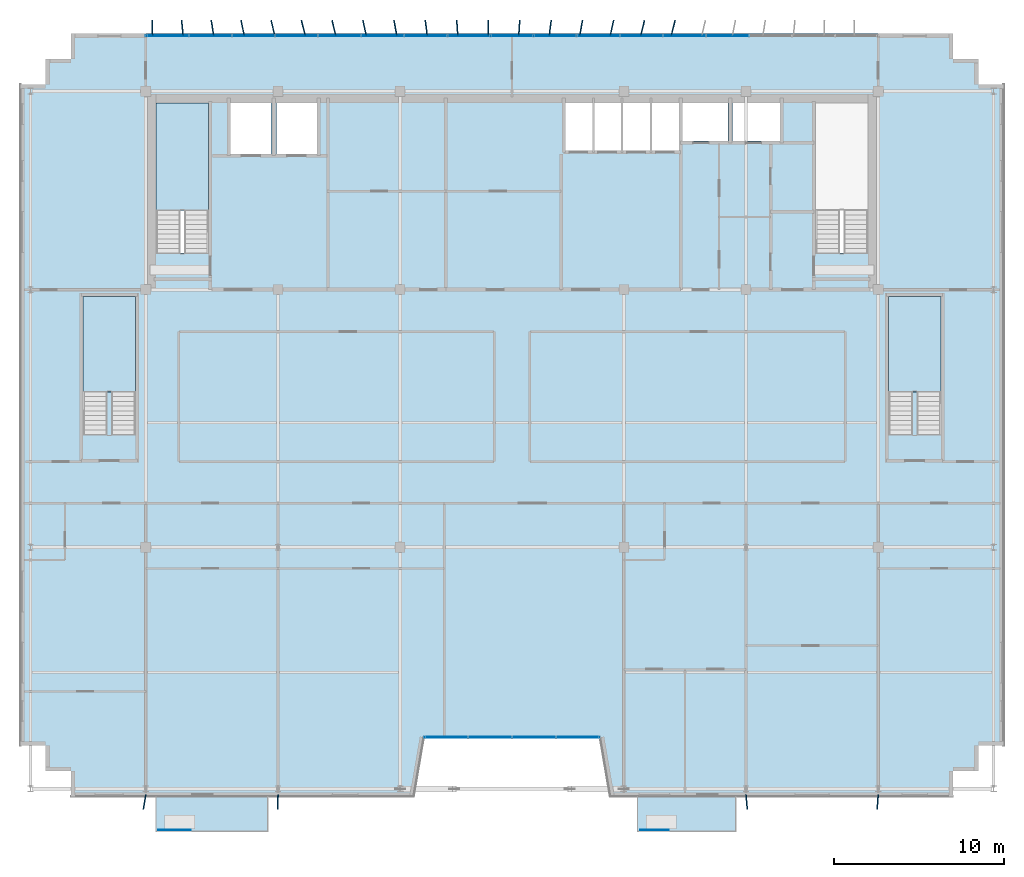
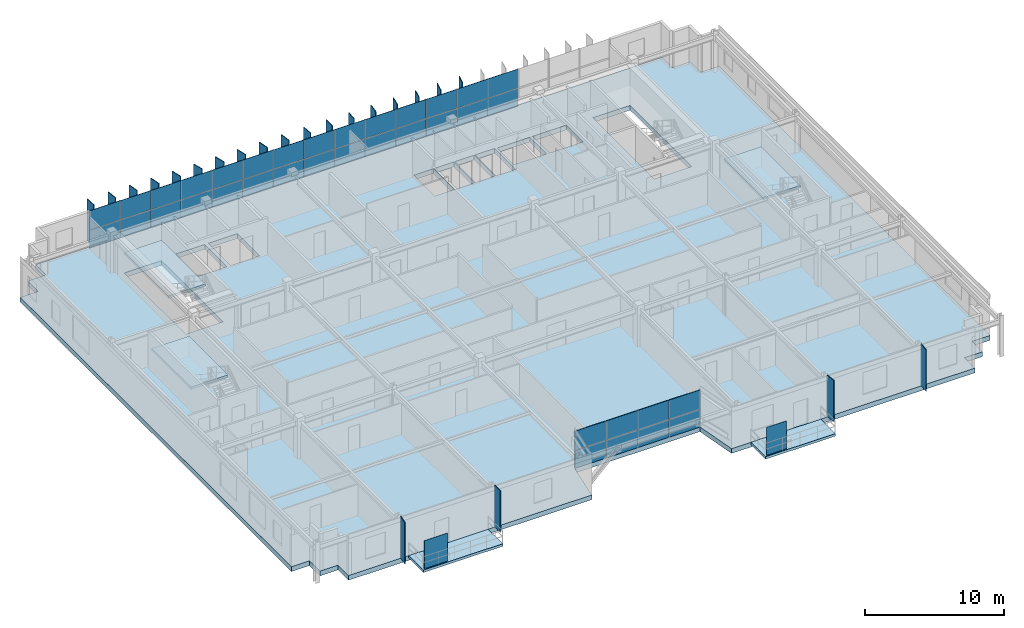
# One storey, part 19 of 28: 60 plates, 6 slabs, 5 elements without a shape of their own.
"""IFC4 building model written with IfcOpenShell, lengths in metres."""

from ifc_helpers import new_model, si_unit, direction, frame, origin, origin_2d, place, context, subcontext, project, spatial, polyline, rectangle, outline, extrude, source, transform, mapped, material, layer, layer_set, type_object, element, aggregate, save


model = new_model("IFC4")

# Units and contexts
model_context = context("Model", 3, precision=1e-05, world=origin(), true_north=direction((0.0, 1.0)))
body_context = subcontext(model_context, "Body", "Model", "MODEL_VIEW")
ifc_project = project(units=[si_unit("LENGTHUNIT", "METRE"), si_unit("AREAUNIT", "SQUARE_METRE"), si_unit("VOLUMEUNIT", "CUBIC_METRE"), si_unit("PLANEANGLEUNIT", "RADIAN"), si_unit("MASSUNIT", "GRAM", prefix="KILO")], contexts=[model_context])

# Site, building, storey
site_placement = place(None, origin())
site = spatial("IfcSite", under=ifc_project, at=site_placement, CompositionType="ELEMENT")
building_placement = place(site_placement, origin())
building = spatial("IfcBuilding", under=site, at=building_placement, Name="Trelvane Seafront Commons", CompositionType="ELEMENT")
storey_placement = place(building_placement, frame((0.0, 0.0, 295.5)))
storey = spatial("IfcBuildingStorey", under=building, at=storey_placement, Name="L77", CompositionType="ELEMENT", Elevation=295.5)

# Slabs
ifc_material_1 = material(Name="Concrete C40/50", Category="concrete")
ifc_layer_1 = layer(ifc_material_1, 0.219970703125, Name="ARCH-BALC-220")
ifc_layer_set_1 = layer_set([ifc_layer_1], Name="Concrete C40/50")
slab_type_1 = type_object("IfcSlabType", Name="ARCH-BALC-220", PredefinedType="FLOOR", material=ifc_layer_set_1)
slab_1_placement = place(storey_placement, frame((0.0, 0.0, -0.219970703125)))
element("IfcSlab", 1, at=slab_1_placement, inside=storey, type_object=slab_type_1, Name="L77 Cantilevered Tree Balcony Loggia 1", PredefinedType="FLOOR", context=body_context, shape_type="SweptSolid", body=[
    extrude(outline(polyline([(16.199951171875, 1.39990234375), (22.800048828125, 1.39990234375), (22.800048828125, 3.5), (16.199951171875, 3.5), (16.199951171875, 1.39990234375)])), origin(), (0.0, 0.0, 1.0), 0.219970703125),
])
slab_2_placement = place(storey_placement, frame((0.0, 0.0, -0.219970703125)))
element("IfcSlab", 2, at=slab_2_placement, inside=storey, type_object=slab_type_1, Name="L77 Cantilevered Tree Balcony Loggia 2", PredefinedType="FLOOR", context=body_context, shape_type="SweptSolid", body=[
    extrude(outline(polyline([(44.60009765625, 1.39990234375), (50.39990234375, 1.39990234375), (50.39990234375, 3.5), (44.60009765625, 3.5), (44.60009765625, 1.39990234375)])), origin(), (0.0, 0.0, 1.0), 0.219970703125),
])

# Stair, slab
stair_type_1 = type_object("IfcStairType", Name="ARCH-STR-ST-1-R20-180", PredefinedType="HALF_TURN_STAIR", material=ifc_material_1)
stair_1_placement = place(storey_placement, origin())
stair_1 = element("IfcStair", 3, at=stair_1_placement, inside=storey, type_object=stair_type_1, Name="L77 West Protected Firefighting Exit Stair ST-1", PredefinedType="HALF_TURN_STAIR")
ifc_layer_2 = layer(ifc_material_1, 0.199951171875, Name="ARCH-LND-200")
ifc_layer_set_2 = layer_set([ifc_layer_2], Name="Concrete C40/50")
slab_type_2 = type_object("IfcSlabType", Name="ARCH-LND-200", PredefinedType="LANDING", material=ifc_layer_set_2)
slab_3_placement = place(storey_placement, frame((0.0, 0.0, 1.60009765625)))
slab_3 = element("IfcSlab", 4, at=slab_3_placement, type_object=slab_type_2, Name="ST-1 landing 1", PredefinedType="LANDING", context=body_context, shape_type="SweptSolid", body=[
    extrude(outline(polyline([(19.300048828125, 38.070068359375), (19.300048828125, 44.39990234375), (16.199951171875, 44.39990234375), (16.199951171875, 38.070068359375), (19.300048828125, 38.070068359375)])), origin(), (0.0, 0.0, 1.0), 0.199951171875),
])
aggregate(stair_1, [slab_3])

stair_type_2 = type_object("IfcStairType", Name="ARCH-STR-ST-5-R20-180", PredefinedType="HALF_TURN_STAIR", material=ifc_material_1)
stair_2_placement = place(storey_placement, origin())
stair_2 = element("IfcStair", 5, at=stair_2_placement, inside=storey, type_object=stair_type_2, Name="L77 Crown West Peak Enclosed Maintenance Exit Stair ST-5", PredefinedType="HALF_TURN_STAIR")
slab_4_placement = place(storey_placement, frame((0.0, 0.0, 1.60009765625)))
slab_4 = element("IfcSlab", 6, at=slab_4_placement, type_object=slab_type_2, Name="ST-5 landing 1", PredefinedType="LANDING", context=body_context, shape_type="SweptSolid", body=[
    extrude(outline(polyline([(15.0, 27.3701171875), (15.0, 33.0), (11.89990234375, 33.0), (11.89990234375, 27.3701171875), (15.0, 27.3701171875)])), origin(), (0.0, 0.0, 1.0), 0.199951171875),
])
aggregate(stair_2, [slab_4])

stair_type_3 = type_object("IfcStairType", Name="ARCH-STR-ST-6-R20-180", PredefinedType="HALF_TURN_STAIR", material=ifc_material_1)
stair_3_placement = place(storey_placement, origin())
stair_3 = element("IfcStair", 7, at=stair_3_placement, inside=storey, type_object=stair_type_3, Name="L77 Crown East Peak Enclosed Maintenance Exit Stair ST-6", PredefinedType="HALF_TURN_STAIR")
slab_5_placement = place(storey_placement, frame((0.0, 0.0, 1.60009765625)))
slab_5 = element("IfcSlab", 8, at=slab_5_placement, type_object=slab_type_2, Name="ST-6 landing 1", PredefinedType="LANDING", context=body_context, shape_type="SweptSolid", body=[
    extrude(outline(polyline([(62.5, 27.3701171875), (62.5, 33.0), (59.39990234375, 33.0), (59.39990234375, 27.3701171875), (62.5, 27.3701171875)])), origin(), (0.0, 0.0, 1.0), 0.199951171875),
])
aggregate(stair_3, [slab_5])

# Slab
ifc_material_2 = material(Name="Concrete C60/75", Category="concrete")
ifc_layer_3 = layer(ifc_material_2, 0.419921875, Name="STR-SLB-T420")
ifc_layer_set_3 = layer_set([ifc_layer_3], Name="Concrete C60/75")
slab_type_3 = type_object("IfcSlabType", Name="STR-SLB-T420", PredefinedType="FLOOR", material=ifc_layer_set_3)
slab_6_placement = place(storey_placement, frame((0.0, 0.0, -0.419921875)))
element("IfcSlab", 9, at=slab_6_placement, inside=storey, type_object=slab_type_3, Name="L77 Structural Floor Slab", PredefinedType="FLOOR", context=body_context, shape_type="SweptSolid", body=[
    extrude(outline(polyline([(11.199951171875, 3.5), (31.39990234375, 3.5), (32.0, 7.0), (42.39990234375, 7.0), (43.0, 3.5), (63.199951171875, 3.5), (63.199951171875, 5.0), (64.699951171875, 5.0), (64.699951171875, 6.5), (66.199951171875, 6.5), (66.199951171875, 45.5), (64.699951171875, 45.5), (64.699951171875, 47.0), (63.199951171875, 47.0), (63.199951171875, 48.5), (11.199951171875, 48.5), (11.199951171875, 47.0), (9.699951171875, 47.0), (9.699951171875, 45.5), (8.199951171875, 45.5), (8.199951171875, 6.5), (9.699951171875, 6.5), (9.699951171875, 5.0), (11.199951171875, 5.0), (11.199951171875, 3.5)]), holes=[polyline([(19.300048828125, 35.550048828125), (16.199951171875, 35.550048828125), (16.199951171875, 44.39990234375), (19.300048828125, 44.39990234375), (19.300048828125, 35.550048828125)]), polyline([(58.199951171875, 35.550048828125), (55.10009765625, 35.550048828125), (55.10009765625, 44.39990234375), (58.199951171875, 44.39990234375), (58.199951171875, 35.550048828125)]), polyline([(23.0, 41.39990234375), (20.60009765625, 41.39990234375), (20.60009765625, 44.60009765625), (23.0, 44.60009765625), (23.0, 41.39990234375)]), polyline([(23.300048828125, 41.39990234375), (23.300048828125, 44.60009765625), (25.699951171875, 44.60009765625), (25.699951171875, 41.39990234375), (23.300048828125, 41.39990234375)]), polyline([(40.35009765625, 41.60009765625), (40.35009765625, 44.60009765625), (41.969970703125, 44.60009765625), (41.969970703125, 41.60009765625), (40.35009765625, 41.60009765625)]), polyline([(43.669921875, 41.60009765625), (42.050048828125, 41.60009765625), (42.050048828125, 44.60009765625), (43.669921875, 44.60009765625), (43.669921875, 41.60009765625)]), polyline([(45.3701171875, 41.60009765625), (43.75, 41.60009765625), (43.75, 44.60009765625), (45.3701171875, 44.60009765625), (45.3701171875, 41.60009765625)]), polyline([(47.070068359375, 41.60009765625), (45.449951171875, 41.60009765625), (45.449951171875, 44.60009765625), (47.070068359375, 44.60009765625), (47.070068359375, 41.60009765625)]), polyline([(47.25, 42.14990234375), (47.25, 44.550048828125), (49.949951171875, 44.550048828125), (49.949951171875, 42.14990234375), (47.25, 42.14990234375)]), polyline([(50.199951171875, 42.14990234375), (50.199951171875, 44.550048828125), (53.0, 44.550048828125), (53.0, 42.14990234375), (50.199951171875, 42.14990234375)])]), origin(), (0.0, 0.0, 1.0), 0.419921875),
])

# Plates
ifc_material_3 = material(Name="Perforated anodised aluminium screen", Category="aluminium")
ifc_layer_4 = layer(ifc_material_3, 0.01611328125, Name="ARCH-PLATE-SCREEN")
ifc_layer_set_4 = layer_set([ifc_layer_4], Name="Perforated anodised aluminium screen")
plate_type_1 = type_object("IfcPlateType", Name="ARCH-PLATE-SCREEN", PredefinedType="USERDEFINED", material=ifc_layer_set_4)
shared_shape_1 = source(origin(), body_context, "Body", "SweptSolid", [
    extrude(rectangle(XDim=1.9140625, YDim=0.01611328125, at=origin_2d()), origin(), (0.0, 0.0, 1.0), 2.449951171875),
])
plate_1_placement = place(storey_placement, frame((17.306884765625, 1.52001953125, 0.0), z_axis=(0.0, 0.0, 1.0), x_axis=(1.0, 0.0, 0.0)))
element("IfcPlate", 10, at=plate_1_placement, inside=storey, type_object=plate_type_1, Name="SCR-L77-00268", ObjectType="SCREEN", PredefinedType="USERDEFINED", context=body_context, shape_type="MappedRepresentation", body=[
    mapped(shared_shape_1, transform((0.0, 0.0, 0.0), x_axis=(1.0, 0.0, 0.0), y_axis=(0.0, 1.0, 0.0), z_axis=(0.0, 0.0, 1.0), scale=1.0)),
])
shared_shape_2 = source(origin(), body_context, "Body", "SweptSolid", [
    extrude(rectangle(XDim=1.681884765625, YDim=0.01611328125, at=origin_2d()), origin(), (0.0, 0.0, 1.0), 2.449951171875),
])
plate_2_placement = place(storey_placement, frame((45.591064453125, 1.52001953125, 0.0), z_axis=(0.0, 0.0, 1.0), x_axis=(1.0, 0.0, 0.0)))
element("IfcPlate", 11, at=plate_2_placement, inside=storey, type_object=plate_type_1, Name="SCR-L77-00269", ObjectType="SCREEN", PredefinedType="USERDEFINED", context=body_context, shape_type="MappedRepresentation", body=[
    mapped(shared_shape_2, transform((0.0, 0.0, 0.0), x_axis=(1.0, 0.0, 0.0), y_axis=(0.0, 1.0, 0.0), z_axis=(0.0, 0.0, 1.0), scale=1.0)),
])
ifc_material_4 = material(Name="Anodised pale-silver aluminium", Category="aluminium")
ifc_layer_5 = layer(ifc_material_4, 0.06005859375, Name="ARCH-PLATE-FIN900")
ifc_layer_set_5 = layer_set([ifc_layer_5], Name="Anodised pale-silver aluminium")
plate_type_2 = type_object("IfcPlateType", Name="ARCH-PLATE-FIN900", PredefinedType="USERDEFINED", material=ifc_layer_set_5)
shared_shape_3 = source(origin(), body_context, "Body", "SweptSolid", [
    extrude(rectangle(XDim=0.89990234375, YDim=0.06005859375, at=origin_2d()), origin(), (0.0, 0.0, 1.0), 3.639892578125),
])
for number, where, z_axis, x_axis, name in (
    (12, (15.985595703125, 48.849853515625, -0.02001953125), (0.0, 0.0, 1.0), (-0.03211202744, 0.999484275861, 0.0), "FIN-L77-02153"),
    (13, (17.756591796875, 48.847900390625, -0.02001953125), (0.0, 0.0, 1.0), (-0.096224475688, 0.995359658756, 0.0), "FIN-L77-02154"),
    (14, (19.53125, 48.8447265625, -0.02001953125), (0.0, 0.0, 1.0), (-0.152784033379, 0.988259601089, 0.0), "FIN-L77-02155"),
    (15, (21.31103515625, 48.841064453125, -0.02001953125), (0.0, 0.0, 1.0), (-0.197676160198, 0.980267379693, 0.0), "FIN-L77-02156"),
    (16, (23.097412109375, 48.838134765625, -0.02001953125), (0.0, 0.0, 1.0), (-0.227893755927, 0.973686004834, 0.0), "FIN-L77-02157"),
    (17, (24.891357421875, 48.836669921875, -0.02001953125), (0.0, 0.0, 1.0), (-0.241332518054, 0.970442484504, 0.0), "FIN-L77-02158"),
    (18, (26.693115234375, 48.837158203125, -0.02001953125), (0.0, 0.0, 1.0), (-0.23722474077, 0.971454796873, 0.0), "FIN-L77-02159"),
    (19, (28.5029296875, 48.83935546875, -0.02001953125), (0.0, 0.0, 1.0), (-0.215776724451, 0.97644273011, 0.0), "FIN-L77-02160"),
    (20, (30.319580078125, 48.8427734375, -0.02001953125), (0.0, 0.0, 1.0), (-0.178328246268, 0.983971054748, 0.0), "FIN-L77-02161"),
    (21, (32.142578125, 48.84619140625, -0.02001953125), (0.0, 0.0, 1.0), (-0.127563173055, 0.991830447647, 0.0), "FIN-L77-02162"),
    (22, (33.969970703125, 48.84912109375, -0.02001953125), (0.0, 0.0, 1.0), (-0.066998343577, 0.997753086669, 0.0), "FIN-L77-02163"),
    (23, (35.799560546875, 48.85009765625, -0.02001953125), (0.0, 0.0, 1.0), (-0.001111774504, 0.999999381979, 0.0), "FIN-L77-02164"),
    (24, (37.629150390625, 48.84912109375, -0.02001953125), (0.0, 0.0, 1.0), (0.064777884772, 0.997899707207, 0.0), "FIN-L77-02165"),
    (25, (39.45654296875, 48.846435546875, -0.02001953125), (0.0, 0.0, 1.0), (0.125662224361, 0.992073084691, 0.0), "FIN-L77-02166"),
    (26, (41.279541015625, 48.843017578125, -0.02001953125), (0.0, 0.0, 1.0), (0.176890631648, 0.984230513871, 0.0), "FIN-L77-02167"),
    (27, (43.0966796875, 48.839599609375, -0.02001953125), (0.0, 0.0, 1.0), (0.214776237731, 0.976663282665, 0.0), "FIN-L77-02168"),
    (28, (44.906494140625, 48.837158203125, -0.02001953125), (0.0, 0.0, 1.0), (0.236780492763, 0.971563172546, 0.0), "FIN-L77-02169"),
    (29, (46.708740234375, 48.836669921875, -0.02001953125), (0.0, 0.0, 1.0), (0.241437528624, 0.97041636413, 0.0), "FIN-L77-02170"),
):
    element("IfcPlate", number, at=place(storey_placement, frame(where, z_axis=z_axis, x_axis=x_axis)), inside=storey, type_object=plate_type_2, Name=name, ObjectType="FIN", PredefinedType="USERDEFINED", context=body_context, shape_type="MappedRepresentation", body=[
        mapped(shared_shape_3, transform((0.0, 0.0, 0.0), x_axis=(1.0, 0.0, 0.0), y_axis=(0.0, 1.0, 0.0), z_axis=(0.0, 0.0, 1.0), scale=1.0)),
    ])
shared_shape_4 = source(origin(), body_context, "Body", "SweptSolid", [
    extrude(rectangle(XDim=0.85009765625, YDim=0.06005859375, at=origin_2d()), origin(), (0.0, 0.0, 1.0), 3.639892578125),
])
for number, where, z_axis, x_axis, name in (
    (30, (15.530517578125, 3.1806640625, -0.02001953125), (0.0, 0.0, 1.0), (-0.163770194127, -0.986498516733, 0.0), "FIN-S-L77-02177"),
    (31, (23.39599609375, 3.175048828125, -0.02001953125), (0.0, 0.0, 1.0), (-0.009410676418, -0.999955718604, 0.0), "FIN-S-L77-02178"),
    (32, (51.03857421875, 3.1767578125, -0.02001953125), (0.0, 0.0, 1.0), (0.090589126457, -0.99588835226, 0.0), "FIN-S-L77-02179"),
    (33, (58.767333984375, 3.17626953125, -0.02001953125), (0.0, 0.0, 1.0), (-0.076705106637, -0.997053823329, 0.0), "FIN-S-L77-02180"),
):
    element("IfcPlate", number, at=place(storey_placement, frame(where, z_axis=z_axis, x_axis=x_axis)), inside=storey, type_object=plate_type_2, Name=name, ObjectType="FIN", PredefinedType="USERDEFINED", context=body_context, shape_type="MappedRepresentation", body=[
        mapped(shared_shape_4, transform((0.0, 0.0, 0.0), x_axis=(1.0, 0.0, 0.0), y_axis=(0.0, 1.0, 0.0), z_axis=(0.0, 0.0, 1.0), scale=1.0)),
    ])

# Curtain wall, plates
curtain_wall_type_1 = type_object("IfcCurtainWallType", Name="ARCH-CW5-UPTOWER", PredefinedType="NOTDEFINED", material=ifc_material_4)
curtain_wall_1_placement = place(storey_placement, origin())
curtain_wall_1 = element("IfcCurtainWall", 34, at=curtain_wall_1_placement, inside=storey, type_object=curtain_wall_type_1, Name="CW-L77-0122", PredefinedType="NOTDEFINED")
ifc_material_5 = material(Name="Low-E coastal double glazing", Category="glass")
ifc_layer_6 = layer(ifc_material_5, 0.033935546875, Name="ARCH-CW-GLAZ-34")
ifc_layer_set_6 = layer_set([ifc_layer_6], Name="Low-E coastal double glazing")
plate_type_3 = type_object("IfcPlateType", Name="ARCH-CW-GLAZ-34", PredefinedType="CURTAIN_PANEL", material=ifc_layer_set_6)
shared_shape_5 = source(origin(), body_context, "Body", "SweptSolid", [
    extrude(rectangle(XDim=2.51708984375, YDim=0.033935546875, at=origin_2d()), origin(), (0.0, 0.0, 1.0), 1.547119140625),
])
plate_3_placement = place(storey_placement, frame((16.87060546875, 48.3701171875, 0.0), z_axis=(0.0, 0.0, 1.0), x_axis=(1.0, 0.0, 0.0)))
plate_3 = element("IfcPlate", 35, at=plate_3_placement, type_object=plate_type_3, Name="CW-L77-0122-P00-1", PredefinedType="CURTAIN_PANEL", context=body_context, shape_type="MappedRepresentation", body=[
    mapped(shared_shape_5, transform((0.0, 0.0, 0.0), x_axis=(1.0, 0.0, 0.0), y_axis=(0.0, 1.0, 0.0), z_axis=(0.0, 0.0, 1.0), scale=1.0)),
])
plate_4_placement = place(storey_placement, frame((19.411865234375, 48.3701171875, 0.0), z_axis=(0.0, 0.0, 1.0), x_axis=(1.0, 0.0, 0.0)))
plate_4 = element("IfcPlate", 36, at=plate_4_placement, type_object=plate_type_3, Name="CW-L77-0122-P01-1", PredefinedType="CURTAIN_PANEL", context=body_context, shape_type="MappedRepresentation", body=[
    mapped(shared_shape_5, transform((0.0, 0.0, 0.0), x_axis=(1.0, 0.0, 0.0), y_axis=(0.0, 1.0, 0.0), z_axis=(0.0, 0.0, 1.0), scale=1.0)),
])
plate_5_placement = place(storey_placement, frame((21.952880859375, 48.3701171875, 0.0), z_axis=(0.0, 0.0, 1.0), x_axis=(1.0, 0.0, 0.0)))
plate_5 = element("IfcPlate", 37, at=plate_5_placement, type_object=plate_type_3, Name="CW-L77-0122-P02-1", PredefinedType="CURTAIN_PANEL", context=body_context, shape_type="MappedRepresentation", body=[
    mapped(shared_shape_5, transform((0.0, 0.0, 0.0), x_axis=(1.0, 0.0, 0.0), y_axis=(0.0, 1.0, 0.0), z_axis=(0.0, 0.0, 1.0), scale=1.0)),
])
plate_6_placement = place(storey_placement, frame((24.494140625, 48.3701171875, 0.0), z_axis=(0.0, 0.0, 1.0), x_axis=(1.0, 0.0, 0.0)))
plate_6 = element("IfcPlate", 38, at=plate_6_placement, type_object=plate_type_3, Name="CW-L77-0122-P03-1", PredefinedType="CURTAIN_PANEL", context=body_context, shape_type="MappedRepresentation", body=[
    mapped(shared_shape_5, transform((0.0, 0.0, 0.0), x_axis=(1.0, 0.0, 0.0), y_axis=(0.0, 1.0, 0.0), z_axis=(0.0, 0.0, 1.0), scale=1.0)),
])
plate_7_placement = place(storey_placement, frame((27.035400390625, 48.3701171875, 0.0), z_axis=(0.0, 0.0, 1.0), x_axis=(1.0, 0.0, 0.0)))
plate_7 = element("IfcPlate", 39, at=plate_7_placement, type_object=plate_type_3, Name="CW-L77-0122-P04-1", PredefinedType="CURTAIN_PANEL", context=body_context, shape_type="MappedRepresentation", body=[
    mapped(shared_shape_5, transform((0.0, 0.0, 0.0), x_axis=(1.0, 0.0, 0.0), y_axis=(0.0, 1.0, 0.0), z_axis=(0.0, 0.0, 1.0), scale=1.0)),
])
plate_8_placement = place(storey_placement, frame((29.576416015625, 48.3701171875, 0.0), z_axis=(0.0, 0.0, 1.0), x_axis=(1.0, 0.0, 0.0)))
plate_8 = element("IfcPlate", 40, at=plate_8_placement, type_object=plate_type_3, Name="CW-L77-0122-P05-1", PredefinedType="CURTAIN_PANEL", context=body_context, shape_type="MappedRepresentation", body=[
    mapped(shared_shape_5, transform((0.0, 0.0, 0.0), x_axis=(1.0, 0.0, 0.0), y_axis=(0.0, 1.0, 0.0), z_axis=(0.0, 0.0, 1.0), scale=1.0)),
])
plate_9_placement = place(storey_placement, frame((32.11767578125, 48.3701171875, 0.0), z_axis=(0.0, 0.0, 1.0), x_axis=(1.0, 0.0, 0.0)))
plate_9 = element("IfcPlate", 41, at=plate_9_placement, type_object=plate_type_3, Name="CW-L77-0122-P06-1", PredefinedType="CURTAIN_PANEL", context=body_context, shape_type="MappedRepresentation", body=[
    mapped(shared_shape_5, transform((0.0, 0.0, 0.0), x_axis=(1.0, 0.0, 0.0), y_axis=(0.0, 1.0, 0.0), z_axis=(0.0, 0.0, 1.0), scale=1.0)),
])
plate_10_placement = place(storey_placement, frame((34.65869140625, 48.3701171875, 0.0), z_axis=(0.0, 0.0, 1.0), x_axis=(1.0, 0.0, 0.0)))
plate_10 = element("IfcPlate", 42, at=plate_10_placement, type_object=plate_type_3, Name="CW-L77-0122-P07-1", PredefinedType="CURTAIN_PANEL", context=body_context, shape_type="MappedRepresentation", body=[
    mapped(shared_shape_5, transform((0.0, 0.0, 0.0), x_axis=(1.0, 0.0, 0.0), y_axis=(0.0, 1.0, 0.0), z_axis=(0.0, 0.0, 1.0), scale=1.0)),
])
plate_11_placement = place(storey_placement, frame((37.199951171875, 48.3701171875, 0.0), z_axis=(0.0, 0.0, 1.0), x_axis=(1.0, 0.0, 0.0)))
plate_11 = element("IfcPlate", 43, at=plate_11_placement, type_object=plate_type_3, Name="CW-L77-0122-P08-1", PredefinedType="CURTAIN_PANEL", context=body_context, shape_type="MappedRepresentation", body=[
    mapped(shared_shape_5, transform((0.0, 0.0, 0.0), x_axis=(1.0, 0.0, 0.0), y_axis=(0.0, 1.0, 0.0), z_axis=(0.0, 0.0, 1.0), scale=1.0)),
])
plate_12_placement = place(storey_placement, frame((39.7412109375, 48.3701171875, 0.0), z_axis=(0.0, 0.0, 1.0), x_axis=(1.0, 0.0, 0.0)))
plate_12 = element("IfcPlate", 44, at=plate_12_placement, type_object=plate_type_3, Name="CW-L77-0122-P09-1", PredefinedType="CURTAIN_PANEL", context=body_context, shape_type="MappedRepresentation", body=[
    mapped(shared_shape_5, transform((0.0, 0.0, 0.0), x_axis=(1.0, 0.0, 0.0), y_axis=(0.0, 1.0, 0.0), z_axis=(0.0, 0.0, 1.0), scale=1.0)),
])
plate_13_placement = place(storey_placement, frame((42.282470703125, 48.3701171875, 0.0), z_axis=(0.0, 0.0, 1.0), x_axis=(1.0, 0.0, 0.0)))
plate_13 = element("IfcPlate", 45, at=plate_13_placement, type_object=plate_type_3, Name="CW-L77-0122-P10-1", PredefinedType="CURTAIN_PANEL", context=body_context, shape_type="MappedRepresentation", body=[
    mapped(shared_shape_5, transform((0.0, 0.0, 0.0), x_axis=(1.0, 0.0, 0.0), y_axis=(0.0, 1.0, 0.0), z_axis=(0.0, 0.0, 1.0), scale=1.0)),
])
plate_14_placement = place(storey_placement, frame((44.823486328125, 48.3701171875, 0.0), z_axis=(0.0, 0.0, 1.0), x_axis=(1.0, 0.0, 0.0)))
plate_14 = element("IfcPlate", 46, at=plate_14_placement, type_object=plate_type_3, Name="CW-L77-0122-P11-1", PredefinedType="CURTAIN_PANEL", context=body_context, shape_type="MappedRepresentation", body=[
    mapped(shared_shape_5, transform((0.0, 0.0, 0.0), x_axis=(1.0, 0.0, 0.0), y_axis=(0.0, 1.0, 0.0), z_axis=(0.0, 0.0, 1.0), scale=1.0)),
])
plate_15_placement = place(storey_placement, frame((47.36474609375, 48.3701171875, 0.0), z_axis=(0.0, 0.0, 1.0), x_axis=(1.0, 0.0, 0.0)))
plate_15 = element("IfcPlate", 47, at=plate_15_placement, type_object=plate_type_3, Name="CW-L77-0122-P12-1", PredefinedType="CURTAIN_PANEL", context=body_context, shape_type="MappedRepresentation", body=[
    mapped(shared_shape_5, transform((0.0, 0.0, 0.0), x_axis=(1.0, 0.0, 0.0), y_axis=(0.0, 1.0, 0.0), z_axis=(0.0, 0.0, 1.0), scale=1.0)),
])
plate_16_placement = place(storey_placement, frame((49.906005859375, 48.3701171875, 0.0), z_axis=(0.0, 0.0, 1.0), x_axis=(1.0, 0.0, 0.0)))
plate_16 = element("IfcPlate", 48, at=plate_16_placement, type_object=plate_type_3, Name="CW-L77-0122-P13-1", PredefinedType="CURTAIN_PANEL", context=body_context, shape_type="MappedRepresentation", body=[
    mapped(shared_shape_5, transform((0.0, 0.0, 0.0), x_axis=(1.0, 0.0, 0.0), y_axis=(0.0, 1.0, 0.0), z_axis=(0.0, 0.0, 1.0), scale=1.0)),
])
shared_shape_6 = source(origin(), body_context, "Body", "SweptSolid", [
    extrude(rectangle(XDim=2.51708984375, YDim=0.033935546875, at=origin_2d()), origin(), (0.0, 0.0, 1.0), 1.677001953125),
])
plate_17_placement = place(storey_placement, frame((16.87060546875, 48.3701171875, 1.5830078125), z_axis=(0.0, 0.0, 1.0), x_axis=(1.0, 0.0, 0.0)))
plate_17 = element("IfcPlate", 49, at=plate_17_placement, type_object=plate_type_3, Name="CW-L77-0122-P00-2", PredefinedType="CURTAIN_PANEL", context=body_context, shape_type="MappedRepresentation", body=[
    mapped(shared_shape_6, transform((0.0, 0.0, 0.0), x_axis=(1.0, 0.0, 0.0), y_axis=(0.0, 1.0, 0.0), z_axis=(0.0, 0.0, 1.0), scale=1.0)),
])
plate_18_placement = place(storey_placement, frame((19.411865234375, 48.3701171875, 1.5830078125), z_axis=(0.0, 0.0, 1.0), x_axis=(1.0, 0.0, 0.0)))
plate_18 = element("IfcPlate", 50, at=plate_18_placement, type_object=plate_type_3, Name="CW-L77-0122-P01-2", PredefinedType="CURTAIN_PANEL", context=body_context, shape_type="MappedRepresentation", body=[
    mapped(shared_shape_6, transform((0.0, 0.0, 0.0), x_axis=(1.0, 0.0, 0.0), y_axis=(0.0, 1.0, 0.0), z_axis=(0.0, 0.0, 1.0), scale=1.0)),
])
plate_19_placement = place(storey_placement, frame((21.952880859375, 48.3701171875, 1.5830078125), z_axis=(0.0, 0.0, 1.0), x_axis=(1.0, 0.0, 0.0)))
plate_19 = element("IfcPlate", 51, at=plate_19_placement, type_object=plate_type_3, Name="CW-L77-0122-P02-2", PredefinedType="CURTAIN_PANEL", context=body_context, shape_type="MappedRepresentation", body=[
    mapped(shared_shape_6, transform((0.0, 0.0, 0.0), x_axis=(1.0, 0.0, 0.0), y_axis=(0.0, 1.0, 0.0), z_axis=(0.0, 0.0, 1.0), scale=1.0)),
])
plate_20_placement = place(storey_placement, frame((24.494140625, 48.3701171875, 1.5830078125), z_axis=(0.0, 0.0, 1.0), x_axis=(1.0, 0.0, 0.0)))
plate_20 = element("IfcPlate", 52, at=plate_20_placement, type_object=plate_type_3, Name="CW-L77-0122-P03-2", PredefinedType="CURTAIN_PANEL", context=body_context, shape_type="MappedRepresentation", body=[
    mapped(shared_shape_6, transform((0.0, 0.0, 0.0), x_axis=(1.0, 0.0, 0.0), y_axis=(0.0, 1.0, 0.0), z_axis=(0.0, 0.0, 1.0), scale=1.0)),
])
plate_21_placement = place(storey_placement, frame((27.035400390625, 48.3701171875, 1.5830078125), z_axis=(0.0, 0.0, 1.0), x_axis=(1.0, 0.0, 0.0)))
plate_21 = element("IfcPlate", 53, at=plate_21_placement, type_object=plate_type_3, Name="CW-L77-0122-P04-2", PredefinedType="CURTAIN_PANEL", context=body_context, shape_type="MappedRepresentation", body=[
    mapped(shared_shape_6, transform((0.0, 0.0, 0.0), x_axis=(1.0, 0.0, 0.0), y_axis=(0.0, 1.0, 0.0), z_axis=(0.0, 0.0, 1.0), scale=1.0)),
])
plate_22_placement = place(storey_placement, frame((29.576416015625, 48.3701171875, 1.5830078125), z_axis=(0.0, 0.0, 1.0), x_axis=(1.0, 0.0, 0.0)))
plate_22 = element("IfcPlate", 54, at=plate_22_placement, type_object=plate_type_3, Name="CW-L77-0122-P05-2", PredefinedType="CURTAIN_PANEL", context=body_context, shape_type="MappedRepresentation", body=[
    mapped(shared_shape_6, transform((0.0, 0.0, 0.0), x_axis=(1.0, 0.0, 0.0), y_axis=(0.0, 1.0, 0.0), z_axis=(0.0, 0.0, 1.0), scale=1.0)),
])
plate_23_placement = place(storey_placement, frame((32.11767578125, 48.3701171875, 1.5830078125), z_axis=(0.0, 0.0, 1.0), x_axis=(1.0, 0.0, 0.0)))
plate_23 = element("IfcPlate", 55, at=plate_23_placement, type_object=plate_type_3, Name="CW-L77-0122-P06-2", PredefinedType="CURTAIN_PANEL", context=body_context, shape_type="MappedRepresentation", body=[
    mapped(shared_shape_6, transform((0.0, 0.0, 0.0), x_axis=(1.0, 0.0, 0.0), y_axis=(0.0, 1.0, 0.0), z_axis=(0.0, 0.0, 1.0), scale=1.0)),
])
plate_24_placement = place(storey_placement, frame((34.65869140625, 48.3701171875, 1.5830078125), z_axis=(0.0, 0.0, 1.0), x_axis=(1.0, 0.0, 0.0)))
plate_24 = element("IfcPlate", 56, at=plate_24_placement, type_object=plate_type_3, Name="CW-L77-0122-P07-2", PredefinedType="CURTAIN_PANEL", context=body_context, shape_type="MappedRepresentation", body=[
    mapped(shared_shape_6, transform((0.0, 0.0, 0.0), x_axis=(1.0, 0.0, 0.0), y_axis=(0.0, 1.0, 0.0), z_axis=(0.0, 0.0, 1.0), scale=1.0)),
])
plate_25_placement = place(storey_placement, frame((37.199951171875, 48.3701171875, 1.5830078125), z_axis=(0.0, 0.0, 1.0), x_axis=(1.0, 0.0, 0.0)))
plate_25 = element("IfcPlate", 57, at=plate_25_placement, type_object=plate_type_3, Name="CW-L77-0122-P08-2", PredefinedType="CURTAIN_PANEL", context=body_context, shape_type="MappedRepresentation", body=[
    mapped(shared_shape_6, transform((0.0, 0.0, 0.0), x_axis=(1.0, 0.0, 0.0), y_axis=(0.0, 1.0, 0.0), z_axis=(0.0, 0.0, 1.0), scale=1.0)),
])
plate_26_placement = place(storey_placement, frame((39.7412109375, 48.3701171875, 1.5830078125), z_axis=(0.0, 0.0, 1.0), x_axis=(1.0, 0.0, 0.0)))
plate_26 = element("IfcPlate", 58, at=plate_26_placement, type_object=plate_type_3, Name="CW-L77-0122-P09-2", PredefinedType="CURTAIN_PANEL", context=body_context, shape_type="MappedRepresentation", body=[
    mapped(shared_shape_6, transform((0.0, 0.0, 0.0), x_axis=(1.0, 0.0, 0.0), y_axis=(0.0, 1.0, 0.0), z_axis=(0.0, 0.0, 1.0), scale=1.0)),
])
plate_27_placement = place(storey_placement, frame((42.282470703125, 48.3701171875, 1.5830078125), z_axis=(0.0, 0.0, 1.0), x_axis=(1.0, 0.0, 0.0)))
plate_27 = element("IfcPlate", 59, at=plate_27_placement, type_object=plate_type_3, Name="CW-L77-0122-P10-2", PredefinedType="CURTAIN_PANEL", context=body_context, shape_type="MappedRepresentation", body=[
    mapped(shared_shape_6, transform((0.0, 0.0, 0.0), x_axis=(1.0, 0.0, 0.0), y_axis=(0.0, 1.0, 0.0), z_axis=(0.0, 0.0, 1.0), scale=1.0)),
])
plate_28_placement = place(storey_placement, frame((44.823486328125, 48.3701171875, 1.5830078125), z_axis=(0.0, 0.0, 1.0), x_axis=(1.0, 0.0, 0.0)))
plate_28 = element("IfcPlate", 60, at=plate_28_placement, type_object=plate_type_3, Name="CW-L77-0122-P11-2", PredefinedType="CURTAIN_PANEL", context=body_context, shape_type="MappedRepresentation", body=[
    mapped(shared_shape_6, transform((0.0, 0.0, 0.0), x_axis=(1.0, 0.0, 0.0), y_axis=(0.0, 1.0, 0.0), z_axis=(0.0, 0.0, 1.0), scale=1.0)),
])
plate_29_placement = place(storey_placement, frame((47.36474609375, 48.3701171875, 1.5830078125), z_axis=(0.0, 0.0, 1.0), x_axis=(1.0, 0.0, 0.0)))
plate_29 = element("IfcPlate", 61, at=plate_29_placement, type_object=plate_type_3, Name="CW-L77-0122-P12-2", PredefinedType="CURTAIN_PANEL", context=body_context, shape_type="MappedRepresentation", body=[
    mapped(shared_shape_6, transform((0.0, 0.0, 0.0), x_axis=(1.0, 0.0, 0.0), y_axis=(0.0, 1.0, 0.0), z_axis=(0.0, 0.0, 1.0), scale=1.0)),
])
plate_30_placement = place(storey_placement, frame((49.906005859375, 48.3701171875, 1.5830078125), z_axis=(0.0, 0.0, 1.0), x_axis=(1.0, 0.0, 0.0)))
plate_30 = element("IfcPlate", 62, at=plate_30_placement, type_object=plate_type_3, Name="CW-L77-0122-P13-2", PredefinedType="CURTAIN_PANEL", context=body_context, shape_type="MappedRepresentation", body=[
    mapped(shared_shape_6, transform((0.0, 0.0, 0.0), x_axis=(1.0, 0.0, 0.0), y_axis=(0.0, 1.0, 0.0), z_axis=(0.0, 0.0, 1.0), scale=1.0)),
])
aggregate(curtain_wall_1, [plate_3, plate_17, plate_4, plate_18, plate_5, plate_19, plate_6, plate_20, plate_7, plate_21, plate_8, plate_22, plate_9, plate_23, plate_10, plate_24, plate_11, plate_25, plate_12, plate_26, plate_13, plate_27, plate_14, plate_28, plate_15, plate_29, plate_16, plate_30])

curtain_wall_type_2 = type_object("IfcCurtainWallType", Name="ARCH-CW3-PORTAL", PredefinedType="NOTDEFINED", material=ifc_material_4)
curtain_wall_2_placement = place(storey_placement, origin())
curtain_wall_2 = element("IfcCurtainWall", 63, at=curtain_wall_2_placement, inside=storey, type_object=curtain_wall_type_2, Name="CW-L77-VN-0123", PredefinedType="NOTDEFINED")
shared_shape_7 = source(origin(), body_context, "Body", "SweptSolid", [
    extrude(rectangle(XDim=2.575927734375, YDim=0.0380859375, at=origin_2d()), origin(), (0.0, 0.0, 1.0), 1.547119140625),
])
plate_31_placement = place(storey_placement, frame((41.10009765625, 7.0, 0.0), z_axis=(0.0, 0.0, 1.0), x_axis=(-1.0, 0.0, 0.0)))
plate_31 = element("IfcPlate", 64, at=plate_31_placement, type_object=plate_type_3, Name="CW-L77-VN-0123-P00-1", PredefinedType="CURTAIN_PANEL", context=body_context, shape_type="MappedRepresentation", body=[
    mapped(shared_shape_7, transform((0.0, 0.0, 0.0), x_axis=(1.0, 0.0, 0.0), y_axis=(0.0, 1.0, 0.0), z_axis=(0.0, 0.0, 1.0), scale=1.0)),
])
plate_32_placement = place(storey_placement, frame((38.5, 7.0, 0.0), z_axis=(0.0, 0.0, 1.0), x_axis=(-1.0, 0.0, 0.0)))
plate_32 = element("IfcPlate", 65, at=plate_32_placement, type_object=plate_type_3, Name="CW-L77-VN-0123-P01-1", PredefinedType="CURTAIN_PANEL", context=body_context, shape_type="MappedRepresentation", body=[
    mapped(shared_shape_7, transform((0.0, 0.0, 0.0), x_axis=(1.0, 0.0, 0.0), y_axis=(0.0, 1.0, 0.0), z_axis=(0.0, 0.0, 1.0), scale=1.0)),
])
plate_33_placement = place(storey_placement, frame((35.89990234375, 7.0, 0.0), z_axis=(0.0, 0.0, 1.0), x_axis=(-1.0, 0.0, 0.0)))
plate_33 = element("IfcPlate", 66, at=plate_33_placement, type_object=plate_type_3, Name="CW-L77-VN-0123-P02-1", PredefinedType="CURTAIN_PANEL", context=body_context, shape_type="MappedRepresentation", body=[
    mapped(shared_shape_7, transform((0.0, 0.0, 0.0), x_axis=(1.0, 0.0, 0.0), y_axis=(0.0, 1.0, 0.0), z_axis=(0.0, 0.0, 1.0), scale=1.0)),
])
plate_34_placement = place(storey_placement, frame((33.300048828125, 7.0, 0.0), z_axis=(0.0, 0.0, 1.0), x_axis=(-1.0, 0.0, 0.0)))
plate_34 = element("IfcPlate", 67, at=plate_34_placement, type_object=plate_type_3, Name="CW-L77-VN-0123-P03-1", PredefinedType="CURTAIN_PANEL", context=body_context, shape_type="MappedRepresentation", body=[
    mapped(shared_shape_7, transform((0.0, 0.0, 0.0), x_axis=(1.0, 0.0, 0.0), y_axis=(0.0, 1.0, 0.0), z_axis=(0.0, 0.0, 1.0), scale=1.0)),
])
shared_shape_8 = source(origin(), body_context, "Body", "SweptSolid", [
    extrude(rectangle(XDim=2.575927734375, YDim=0.0380859375, at=origin_2d()), origin(), (0.0, 0.0, 1.0), 1.677001953125),
])
plate_35_placement = place(storey_placement, frame((41.10009765625, 7.0, 1.5830078125), z_axis=(0.0, 0.0, 1.0), x_axis=(-1.0, 0.0, 0.0)))
plate_35 = element("IfcPlate", 68, at=plate_35_placement, type_object=plate_type_3, Name="CW-L77-VN-0123-P00-2", PredefinedType="CURTAIN_PANEL", context=body_context, shape_type="MappedRepresentation", body=[
    mapped(shared_shape_8, transform((0.0, 0.0, 0.0), x_axis=(1.0, 0.0, 0.0), y_axis=(0.0, 1.0, 0.0), z_axis=(0.0, 0.0, 1.0), scale=1.0)),
])
plate_36_placement = place(storey_placement, frame((38.5, 7.0, 1.5830078125), z_axis=(0.0, 0.0, 1.0), x_axis=(-1.0, 0.0, 0.0)))
plate_36 = element("IfcPlate", 69, at=plate_36_placement, type_object=plate_type_3, Name="CW-L77-VN-0123-P01-2", PredefinedType="CURTAIN_PANEL", context=body_context, shape_type="MappedRepresentation", body=[
    mapped(shared_shape_8, transform((0.0, 0.0, 0.0), x_axis=(1.0, 0.0, 0.0), y_axis=(0.0, 1.0, 0.0), z_axis=(0.0, 0.0, 1.0), scale=1.0)),
])
plate_37_placement = place(storey_placement, frame((35.89990234375, 7.0, 1.5830078125), z_axis=(0.0, 0.0, 1.0), x_axis=(-1.0, 0.0, 0.0)))
plate_37 = element("IfcPlate", 70, at=plate_37_placement, type_object=plate_type_3, Name="CW-L77-VN-0123-P02-2", PredefinedType="CURTAIN_PANEL", context=body_context, shape_type="MappedRepresentation", body=[
    mapped(shared_shape_8, transform((0.0, 0.0, 0.0), x_axis=(1.0, 0.0, 0.0), y_axis=(0.0, 1.0, 0.0), z_axis=(0.0, 0.0, 1.0), scale=1.0)),
])
plate_38_placement = place(storey_placement, frame((33.300048828125, 7.0, 1.5830078125), z_axis=(0.0, 0.0, 1.0), x_axis=(-1.0, 0.0, 0.0)))
plate_38 = element("IfcPlate", 71, at=plate_38_placement, type_object=plate_type_3, Name="CW-L77-VN-0123-P03-2", PredefinedType="CURTAIN_PANEL", context=body_context, shape_type="MappedRepresentation", body=[
    mapped(shared_shape_8, transform((0.0, 0.0, 0.0), x_axis=(1.0, 0.0, 0.0), y_axis=(0.0, 1.0, 0.0), z_axis=(0.0, 0.0, 1.0), scale=1.0)),
])
aggregate(curtain_wall_2, [plate_31, plate_35, plate_32, plate_36, plate_33, plate_37, plate_34, plate_38])

save(model, "model.ifc")
